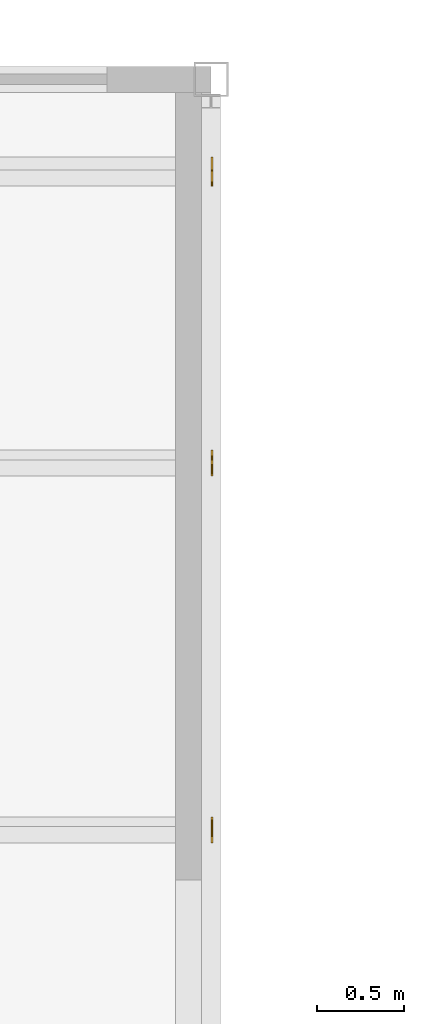
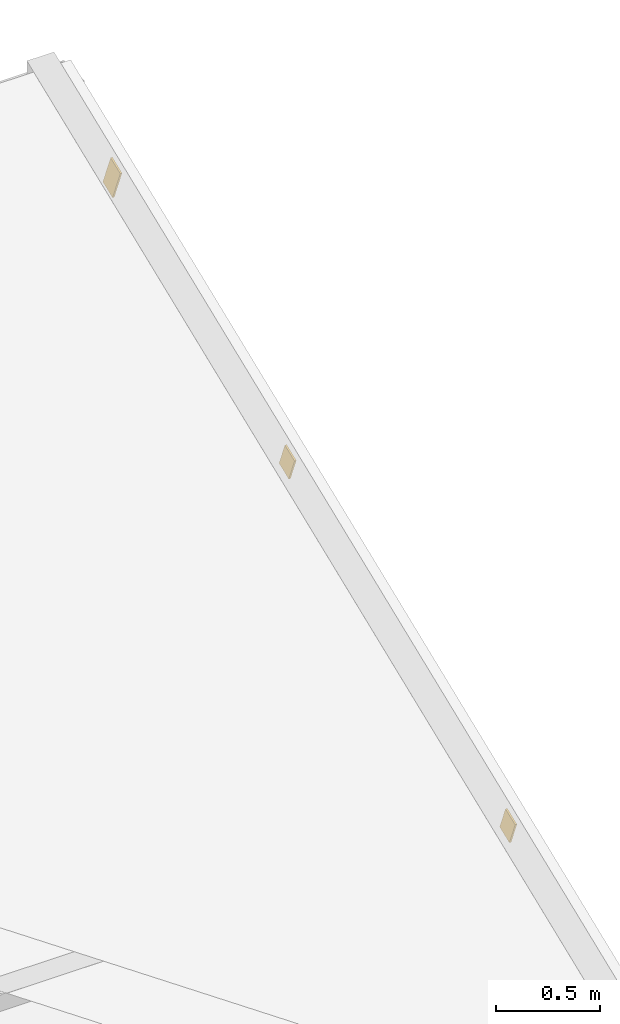
# One storey, part 108 of 109: 3 coverings.
"""IFC4 building model written with IfcOpenShell, lengths in metres."""

from ifc_helpers import new_model, si_unit, direction, frame, origin, place, context, subcontext, project, spatial, polyline, outline, extrude, material, material_profile, profile_set, type_object, element, save


model = new_model("IFC4")

# Units and contexts
model_context = context("Model", 3, precision=1e-05, world=origin(), true_north=direction((0.0, 1.0)))
body_context = subcontext(model_context, "Body", "Model", "MODEL_VIEW")
ifc_project = project(units=[si_unit("LENGTHUNIT", "METRE"), si_unit("AREAUNIT", "SQUARE_METRE"), si_unit("VOLUMEUNIT", "CUBIC_METRE"), si_unit("PLANEANGLEUNIT", "RADIAN"), si_unit("MASSUNIT", "GRAM", prefix="KILO")], contexts=[model_context])

# Site, building, storey
site_placement = place(None, origin())
site = spatial("IfcSite", under=ifc_project, at=site_placement, CompositionType="ELEMENT")
building_placement = place(site_placement, origin())
building = spatial("IfcBuilding", under=site, at=building_placement, Name="Lantern Court Research Institute", CompositionType="ELEMENT")
storey_placement = place(building_placement, frame((0.0, 0.0, 14.39990234375)))
storey = spatial("IfcBuildingStorey", under=building, at=storey_placement, Name="L03", CompositionType="ELEMENT", Elevation=14.39990234375)

# Coverings
ifc_material_1 = material(Name="Structural steel S355", Category="steel")
ifc_material_profile_1 = material_profile(ifc_material_1, outline(polyline([(-0.050048828125, -0.074951171875), (0.050048828125, -0.074951171875), (0.050048828125, 0.074951171875), (-0.050048828125, 0.074951171875), (-0.050048828125, -0.074951171875)])), Name="Purlin end cap 150 x 100 x 10")
ifc_profile_set_1 = profile_set([ifc_material_profile_1], Name="Structural steel S355")
covering_type_1 = type_object("IfcCoveringType", Name="Purlin end cap 150 x 100 x 10", PredefinedType="MOLDING", material=ifc_profile_set_1)
for number, where, z_axis, x_axis, name in (
    (1, (26.39990234375, 71.569580078125, 1.0478515625), (1.0, 0.0, 0.0), (0.0, 0.928476694038, 0.371390668473), "Purlin end cap"),
    (2, (26.39990234375, 73.686279296875, 1.89453125), (1.0, 0.0, 0.0), (0.0, 0.928476694038, 0.371390668473), "Purlin end cap"),
):
    element("IfcCovering", number, at=place(storey_placement, frame(where, z_axis=z_axis, x_axis=x_axis)), inside=storey, type_object=covering_type_1, Name=name, PredefinedType="MOLDING", context=body_context, shape_type="SweptSolid", body=[
        extrude(outline(polyline([(-0.050048828125, -0.074951171875), (0.050048828125, -0.074951171875), (0.050048828125, 0.074951171875), (-0.050048828125, 0.074951171875), (-0.050048828125, -0.074951171875)])), origin(), (0.0, 0.0, 1.0), 0.010009765625),
    ])
ifc_material_2 = material(Name="Structural steel S355", Category="steel")
ifc_material_profile_2 = material_profile(ifc_material_2, outline(polyline([(-0.050048828125, -0.10009765625), (0.050048828125, -0.10009765625), (0.050048828125, 0.10009765625), (-0.050048828125, 0.10009765625), (-0.050048828125, -0.10009765625)])), Name="Purlin end cap 200 x 100 x 10")
ifc_profile_set_2 = profile_set([ifc_material_profile_2], Name="Structural steel S355")
covering_type_2 = type_object("IfcCoveringType", Name="Purlin end cap 200 x 100 x 10", PredefinedType="MOLDING", material=ifc_profile_set_2)
covering_placement = place(storey_placement, frame((26.39990234375, 75.36767578125, 2.540283203125), z_axis=(1.0, 0.0, 0.0), x_axis=(0.0, 0.928476694038, 0.371390668473)))
element("IfcCovering", 3, at=covering_placement, inside=storey, type_object=covering_type_2, Name="Purlin end cap", PredefinedType="MOLDING", context=body_context, shape_type="SweptSolid", body=[
    extrude(outline(polyline([(-0.050048828125, -0.10009765625), (0.050048828125, -0.10009765625), (0.050048828125, 0.10009765625), (-0.050048828125, 0.10009765625), (-0.050048828125, -0.10009765625)])), origin(), (0.0, 0.0, 1.0), 0.010009765625),
])

save(model, "model.ifc")
